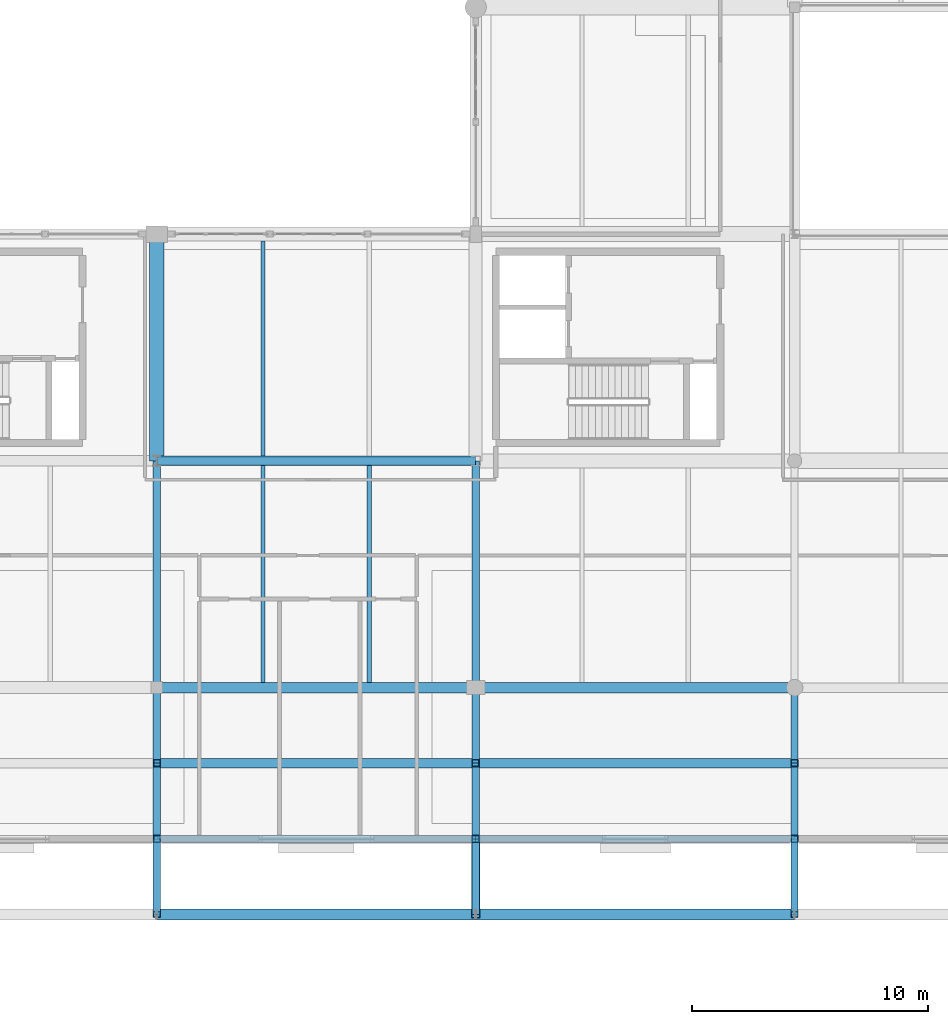
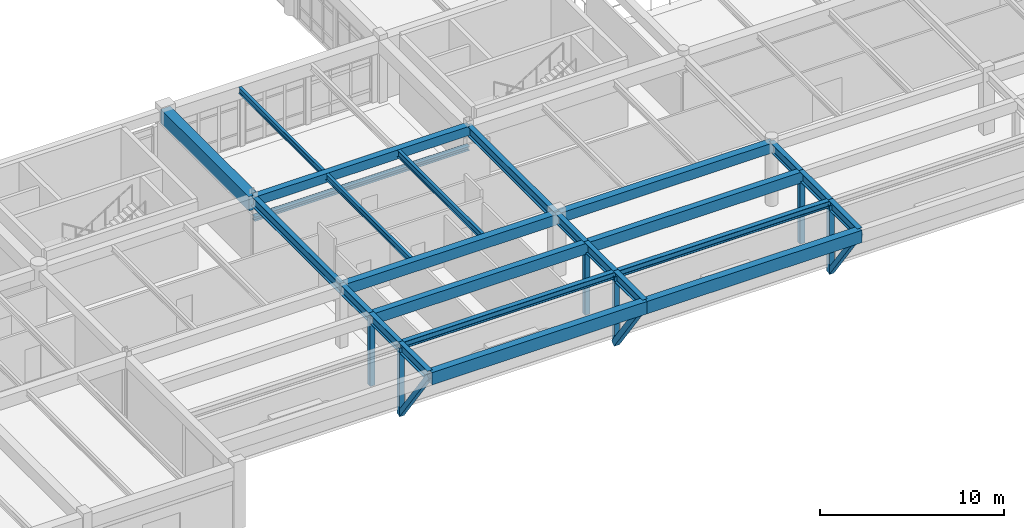
# One storey, part 13 of 80: 25 beams, 9 members.
"""IFC4 building model written with IfcOpenShell, lengths in metres."""

from ifc_helpers import new_model, si_unit, direction, frame, origin, origin_2d, place, context, subcontext, project, spatial, rectangle, hollow_rectangle, i_section, extrude, material, material_profile, profile_set, type_object, element, save


model = new_model("IFC4")

# Units and contexts
model_context = context("Model", 3, precision=1e-05, world=origin(), true_north=direction((0.0, 1.0)))
body_context = subcontext(model_context, "Body", "Model", "MODEL_VIEW")
ifc_project = project(units=[si_unit("LENGTHUNIT", "METRE"), si_unit("AREAUNIT", "SQUARE_METRE"), si_unit("VOLUMEUNIT", "CUBIC_METRE"), si_unit("PLANEANGLEUNIT", "RADIAN"), si_unit("MASSUNIT", "GRAM", prefix="KILO")], contexts=[model_context])

# Site, building, storey
site_placement = place(None, origin())
site = spatial("IfcSite", under=ifc_project, at=site_placement, CompositionType="ELEMENT")
building_placement = place(site_placement, origin())
building = spatial("IfcBuilding", under=site, at=building_placement, Name="Fikremerkos Civic Library", CompositionType="ELEMENT")
storey_placement = place(building_placement, frame((0.0, 0.0, 9.89990234375)))
storey = spatial("IfcBuildingStorey", under=building, at=storey_placement, Name="L02", CompositionType="ELEMENT", Elevation=9.89990234375)

# Beams
ifc_material_1 = material(Name="Steel S355", Category="steel")
ifc_material_profile_1 = material_profile(ifc_material_1, i_section(OverallWidth=0.18994140625, OverallDepth=0.449951171875, WebThickness=0.009521484375, FlangeThickness=0.0146484375, FilletRadius=0.02099609375, at=origin_2d()), Name="IPE 450")
ifc_profile_set_1 = profile_set([ifc_material_profile_1], Name="Steel S355")
beam_type_1 = type_object("IfcBeamType", Name="Floor joist JS-07 IPE 450", PredefinedType="JOIST", material=ifc_profile_set_1)
beam_1_placement = place(storey_placement, frame((41.699951171875, 12.22509765625, 3.93505859375), z_axis=(0.0, 1.0, 0.0), x_axis=(-1.0, 0.0, 0.0)))
element("IfcBeam", 1, at=beam_1_placement, inside=storey, type_object=beam_type_1, Name="Floor joist JS-07 L02 #489", PredefinedType="JOIST", context=body_context, shape_type="SweptSolid", body=[
    extrude(i_section(OverallWidth=0.18994140625, OverallDepth=0.449951171875, WebThickness=0.009521484375, FlangeThickness=0.0146484375, FilletRadius=0.02099609375, at=origin_2d()), origin(), (0.0, 0.0, 1.0), 9.1748046875),
])
ifc_material_profile_2 = material_profile(ifc_material_1, i_section(OverallWidth=0.179931640625, OverallDepth=0.39990234375, WebThickness=0.008544921875, FlangeThickness=0.013427734375, FilletRadius=0.02099609375, at=origin_2d()), Name="IPE 400")
ifc_profile_set_2 = profile_set([ifc_material_profile_2], Name="Steel S355")
beam_type_2 = type_object("IfcBeamType", Name="Floor joist JS-08 IPE 400", PredefinedType="JOIST", material=ifc_profile_set_2)
beam_2_placement = place(storey_placement, frame((37.199951171875, 12.22509765625, 3.960205078125), z_axis=(0.0, 1.0, 0.0), x_axis=(-1.0, 0.0, 0.0)))
element("IfcBeam", 2, at=beam_2_placement, inside=storey, type_object=beam_type_2, Name="Floor joist JS-08 L02 #488", PredefinedType="JOIST", context=body_context, shape_type="SweptSolid", body=[
    extrude(i_section(OverallWidth=0.179931640625, OverallDepth=0.39990234375, WebThickness=0.008544921875, FlangeThickness=0.013427734375, FilletRadius=0.02099609375, at=origin_2d()), origin(), (0.0, 0.0, 1.0), 9.1748046875),
])
beam_3_placement = place(storey_placement, frame((37.199951171875, 21.800048828125, 3.960205078125), z_axis=(0.0, 1.0, 0.0), x_axis=(-1.0, 0.0, 0.0)))
element("IfcBeam", 3, at=beam_3_placement, inside=storey, type_object=beam_type_2, Name="Floor joist JS-08 L02 #490", PredefinedType="JOIST", context=body_context, shape_type="SweptSolid", body=[
    extrude(i_section(OverallWidth=0.179931640625, OverallDepth=0.39990234375, WebThickness=0.008544921875, FlangeThickness=0.013427734375, FilletRadius=0.02099609375, at=origin_2d()), origin(), (0.0, 0.0, 1.0), 9.099853515625),
])

# Members
ifc_material_profile_3 = material_profile(ifc_material_1, hollow_rectangle(XDim=0.300048828125, YDim=0.300048828125, WallThickness=0.012451171875, at=origin_2d()), Name="SHS 300x300x12.5")
ifc_profile_set_3 = profile_set([ifc_material_profile_3], Name="Steel S355")
member_type_1 = type_object("IfcMemberType", Name="Frame post PST-01 SHS 300x300x12.5", PredefinedType="POST", material=ifc_profile_set_3)
for number, where, z_axis, x_axis, name in (
    (4, (32.699951171875, 8.800048828125, -0.64501953125), (0.0, 0.0, 1.0), (1.0, 0.0, 0.0), "Cantilever frame post PST-01 L02 X=32.7 Y=8.8"),
    (5, (32.699951171875, 5.60009765625, -0.64501953125), (0.0, 0.0, 1.0), (1.0, 0.0, 0.0), "Cantilever frame post PST-01 L02 X=32.7 Y=5.6"),
    (6, (46.199951171875, 8.800048828125, -0.64501953125), (0.0, 0.0, 1.0), (1.0, 0.0, 0.0), "Cantilever frame post PST-01 L02 X=46.2 Y=8.8"),
    (7, (46.199951171875, 5.60009765625, -0.64501953125), (0.0, 0.0, 1.0), (1.0, 0.0, 0.0), "Cantilever frame post PST-01 L02 X=46.2 Y=5.6"),
    (8, (59.699951171875, 8.800048828125, -0.64501953125), (0.0, 0.0, 1.0), (1.0, 0.0, 0.0), "Cantilever frame post PST-01 L02 X=59.7 Y=8.8"),
    (9, (59.699951171875, 5.60009765625, -0.64501953125), (0.0, 0.0, 1.0), (1.0, 0.0, 0.0), "Cantilever frame post PST-01 L02 X=59.7 Y=5.6"),
):
    element("IfcMember", number, at=place(storey_placement, frame(where, z_axis=z_axis, x_axis=x_axis)), inside=storey, type_object=member_type_1, Name=name, PredefinedType="POST", context=body_context, shape_type="SweptSolid", body=[
        extrude(hollow_rectangle(XDim=0.300048828125, YDim=0.300048828125, WallThickness=0.012451171875, at=origin_2d()), origin(), (0.0, 0.0, 1.0), 4.480224609375),
    ])

# Beams
ifc_material_profile_4 = material_profile(ifc_material_1, i_section(OverallWidth=0.300048828125, OverallDepth=0.2900390625, WebThickness=0.008544921875, FlangeThickness=0.013916015625, FilletRadius=0.027099609375, at=origin_2d()), Name="HEA 300")
ifc_profile_set_4 = profile_set([ifc_material_profile_4], Name="Steel S355")
beam_type_3 = type_object("IfcBeamType", Name="Opening lintel LNT-03 HEA 300", PredefinedType="LINTEL", material=ifc_profile_set_4)
beam_4_placement = place(storey_placement, frame((32.699951171875, 21.60009765625, 2.64501953125), z_axis=(1.0, 0.0, 0.0), x_axis=(0.0, 1.0, 0.0)))
element("IfcBeam", 10, at=beam_4_placement, inside=storey, type_object=beam_type_3, Name="Interior portal lintel LNT-03 L02 #9", PredefinedType="LINTEL", context=body_context, shape_type="SweptSolid", body=[
    extrude(i_section(OverallWidth=0.300048828125, OverallDepth=0.2900390625, WebThickness=0.008544921875, FlangeThickness=0.013916015625, FilletRadius=0.027099609375, at=origin_2d()), origin(), (0.0, 0.0, 1.0), 13.5),
])
ifc_material_2 = material(Name="Concrete C40/50", Category="concrete")
ifc_material_profile_5 = material_profile(ifc_material_2, rectangle(XDim=0.60009765625, YDim=0.949951171875, at=origin_2d()), Name="RC 600x950")
ifc_profile_set_5 = profile_set([ifc_material_profile_5], Name="Concrete C40/50")
beam_type_4 = type_object("IfcBeamType", Name="Primary girder BM-01 RC 600x950", PredefinedType="BEAM", material=ifc_profile_set_5)
beam_5_placement = place(storey_placement, frame((32.699951171875, 21.60009765625, 3.68505859375), z_axis=(0.0, 1.0, 0.0), x_axis=(-1.0, 0.0, 0.0)))
element("IfcBeam", 11, at=beam_5_placement, inside=storey, type_object=beam_type_4, Name="Primary girder BM-01 L02 grid 4", PredefinedType="BEAM", context=body_context, shape_type="SweptSolid", body=[
    extrude(rectangle(XDim=0.60009765625, YDim=0.949951171875, at=origin_2d()), origin(), (0.0, 0.0, 1.0), 9.599853515625),
])
ifc_material_profile_6 = material_profile(ifc_material_2, rectangle(XDim=0.449951171875, YDim=0.699951171875, at=origin_2d()), Name="RC 450x700")
ifc_profile_set_6 = profile_set([ifc_material_profile_6], Name="Concrete C40/50")
beam_type_5 = type_object("IfcBeamType", Name="Primary girder BM-06 RC 450x700", PredefinedType="BEAM", material=ifc_profile_set_6)
beam_6_placement = place(storey_placement, frame((32.699951171875, 12.0, 3.81005859375), z_axis=(1.0, 0.0, 0.0), x_axis=(0.0, 1.0, 0.0)))
element("IfcBeam", 12, at=beam_6_placement, inside=storey, type_object=beam_type_5, Name="Primary girder BM-06 L02 grid E", PredefinedType="BEAM", context=body_context, shape_type="SweptSolid", body=[
    extrude(rectangle(XDim=0.449951171875, YDim=0.699951171875, at=origin_2d()), origin(), (0.0, 0.0, 1.0), 13.5),
])
ifc_material_profile_7 = material_profile(ifc_material_2, rectangle(XDim=0.449951171875, YDim=0.64990234375, at=origin_2d()), Name="RC 450x650")
ifc_profile_set_7 = profile_set([ifc_material_profile_7], Name="Concrete C40/50")
beam_type_6 = type_object("IfcBeamType", Name="Primary girder BM-07 RC 450x650", PredefinedType="BEAM", material=ifc_profile_set_7)
beam_7_placement = place(storey_placement, frame((46.199951171875, 12.0, 3.835205078125), z_axis=(1.0, 0.0, 0.0), x_axis=(0.0, 1.0, 0.0)))
element("IfcBeam", 13, at=beam_7_placement, inside=storey, type_object=beam_type_6, Name="Primary girder BM-07 L02 grid E", PredefinedType="BEAM", context=body_context, shape_type="SweptSolid", body=[
    extrude(rectangle(XDim=0.449951171875, YDim=0.64990234375, at=origin_2d()), origin(), (0.0, 0.0, 1.0), 13.5),
])
ifc_material_profile_8 = material_profile(ifc_material_2, rectangle(XDim=0.39990234375, YDim=0.60009765625, at=origin_2d()), Name="RC 400x600")
ifc_profile_set_8 = profile_set([ifc_material_profile_8], Name="Concrete C40/50")
beam_type_7 = type_object("IfcBeamType", Name="Primary girder BM-08 RC 400x600", PredefinedType="BEAM", material=ifc_profile_set_8)
beam_8_placement = place(storey_placement, frame((32.699951171875, 21.60009765625, 3.860107421875), z_axis=(1.0, 0.0, 0.0), x_axis=(0.0, 1.0, 0.0)))
element("IfcBeam", 14, at=beam_8_placement, inside=storey, type_object=beam_type_7, Name="Primary girder BM-08 L02 grid F", PredefinedType="BEAM", context=body_context, shape_type="SweptSolid", body=[
    extrude(rectangle(XDim=0.39990234375, YDim=0.60009765625, at=origin_2d()), origin(), (0.0, 0.0, 1.0), 13.5),
])
ifc_material_profile_9 = material_profile(ifc_material_1, i_section(OverallWidth=0.300048828125, OverallDepth=0.64990234375, WebThickness=0.01611328125, FlangeThickness=0.031005859375, FilletRadius=0.027099609375, at=origin_2d()), Name="HEB 650")
ifc_profile_set_9 = profile_set([ifc_material_profile_9], Name="Steel S355")
beam_type_8 = type_object("IfcBeamType", Name="Primary girder BM-12 HEB 650", PredefinedType="BEAM", material=ifc_profile_set_9)
for number, where, z_axis, x_axis, name in (
    (15, (32.699951171875, 12.0, 3.835205078125), (0.0, 1.0, 0.0), (-1.0, 0.0, 0.0), "Primary girder BM-12 L02 grid 4"),
    (16, (46.199951171875, 12.0, 3.835205078125), (0.0, 1.0, 0.0), (-1.0, 0.0, 0.0), "Primary girder BM-12 L02 grid 5"),
):
    element("IfcBeam", number, at=place(storey_placement, frame(where, z_axis=z_axis, x_axis=x_axis)), inside=storey, type_object=beam_type_8, Name=name, PredefinedType="BEAM", context=body_context, shape_type="SweptSolid", body=[
        extrude(i_section(OverallWidth=0.300048828125, OverallDepth=0.64990234375, WebThickness=0.01611328125, FlangeThickness=0.031005859375, FilletRadius=0.027099609375, at=origin_2d()), origin(), (0.0, 0.0, 1.0), 9.60009765625),
    ])
for number, where, z_axis, x_axis, name in (
    (17, (32.699951171875, 12.0, 3.835205078125), (0.0, -1.0, 0.0), (1.0, 0.0, 0.0), "Cantilever girder BM-12 L02 X=32.7 #1"),
    (18, (32.699951171875, 8.800048828125, 3.835205078125), (0.0, -1.0, 0.0), (1.0, 0.0, 0.0), "Cantilever girder BM-12 L02 X=32.7 #2"),
):
    element("IfcBeam", number, at=place(storey_placement, frame(where, z_axis=z_axis, x_axis=x_axis)), inside=storey, type_object=beam_type_8, Name=name, PredefinedType="BEAM", context=body_context, shape_type="SweptSolid", body=[
        extrude(i_section(OverallWidth=0.300048828125, OverallDepth=0.64990234375, WebThickness=0.01611328125, FlangeThickness=0.031005859375, FilletRadius=0.027099609375, at=origin_2d()), origin(), (0.0, 0.0, 1.0), 3.199951171875),
    ])
beam_9_placement = place(storey_placement, frame((32.699951171875, 5.60009765625, 3.835205078125), z_axis=(0.0, -1.0, 0.0), x_axis=(1.0, 0.0, 0.0)))
element("IfcBeam", 19, at=beam_9_placement, inside=storey, type_object=beam_type_8, Name="Cantilever girder BM-12 L02 X=32.7 #3", PredefinedType="BEAM", context=body_context, shape_type="SweptSolid", body=[
    extrude(i_section(OverallWidth=0.300048828125, OverallDepth=0.64990234375, WebThickness=0.01611328125, FlangeThickness=0.031005859375, FilletRadius=0.027099609375, at=origin_2d()), origin(), (0.0, 0.0, 1.0), 3.2001953125),
])
for number, where, z_axis, x_axis, name in (
    (20, (46.199951171875, 12.0, 3.835205078125), (0.0, -1.0, 0.0), (1.0, 0.0, 0.0), "Cantilever girder BM-12 L02 X=46.2 #1"),
    (21, (46.199951171875, 8.800048828125, 3.835205078125), (0.0, -1.0, 0.0), (1.0, 0.0, 0.0), "Cantilever girder BM-12 L02 X=46.2 #2"),
):
    element("IfcBeam", number, at=place(storey_placement, frame(where, z_axis=z_axis, x_axis=x_axis)), inside=storey, type_object=beam_type_8, Name=name, PredefinedType="BEAM", context=body_context, shape_type="SweptSolid", body=[
        extrude(i_section(OverallWidth=0.300048828125, OverallDepth=0.64990234375, WebThickness=0.01611328125, FlangeThickness=0.031005859375, FilletRadius=0.027099609375, at=origin_2d()), origin(), (0.0, 0.0, 1.0), 3.199951171875),
    ])
beam_10_placement = place(storey_placement, frame((46.199951171875, 5.60009765625, 3.835205078125), z_axis=(0.0, -1.0, 0.0), x_axis=(1.0, 0.0, 0.0)))
element("IfcBeam", 22, at=beam_10_placement, inside=storey, type_object=beam_type_8, Name="Cantilever girder BM-12 L02 X=46.2 #3", PredefinedType="BEAM", context=body_context, shape_type="SweptSolid", body=[
    extrude(i_section(OverallWidth=0.300048828125, OverallDepth=0.64990234375, WebThickness=0.01611328125, FlangeThickness=0.031005859375, FilletRadius=0.027099609375, at=origin_2d()), origin(), (0.0, 0.0, 1.0), 3.2001953125),
])
for number, where, z_axis, x_axis, name in (
    (23, (59.699951171875, 12.0, 3.835205078125), (0.0, -1.0, 0.0), (1.0, 0.0, 0.0), "Cantilever girder BM-12 L02 X=59.7 #1"),
    (24, (59.699951171875, 8.800048828125, 3.835205078125), (0.0, -1.0, 0.0), (1.0, 0.0, 0.0), "Cantilever girder BM-12 L02 X=59.7 #2"),
):
    element("IfcBeam", number, at=place(storey_placement, frame(where, z_axis=z_axis, x_axis=x_axis)), inside=storey, type_object=beam_type_8, Name=name, PredefinedType="BEAM", context=body_context, shape_type="SweptSolid", body=[
        extrude(i_section(OverallWidth=0.300048828125, OverallDepth=0.64990234375, WebThickness=0.01611328125, FlangeThickness=0.031005859375, FilletRadius=0.027099609375, at=origin_2d()), origin(), (0.0, 0.0, 1.0), 3.199951171875),
    ])
beam_11_placement = place(storey_placement, frame((59.699951171875, 5.60009765625, 3.835205078125), z_axis=(0.0, -1.0, 0.0), x_axis=(1.0, 0.0, 0.0)))
element("IfcBeam", 25, at=beam_11_placement, inside=storey, type_object=beam_type_8, Name="Cantilever girder BM-12 L02 X=59.7 #3", PredefinedType="BEAM", context=body_context, shape_type="SweptSolid", body=[
    extrude(i_section(OverallWidth=0.300048828125, OverallDepth=0.64990234375, WebThickness=0.01611328125, FlangeThickness=0.031005859375, FilletRadius=0.027099609375, at=origin_2d()), origin(), (0.0, 0.0, 1.0), 3.2001953125),
])

# Members
ifc_material_profile_10 = material_profile(ifc_material_1, hollow_rectangle(XDim=0.35009765625, YDim=0.35009765625, WallThickness=0.01611328125, at=origin_2d()), Name="SHS 350x350x16")
ifc_profile_set_10 = profile_set([ifc_material_profile_10], Name="Steel S355")
member_type_2 = type_object("IfcMemberType", Name="Raking strut STR-01 SHS 350x350x16", PredefinedType="STRUT", material=ifc_profile_set_10)
member_placement = place(storey_placement, frame((46.199951171875, 5.60009765625, -0.64501953125), z_axis=(0.0, -0.581242388279, 0.813730475076), x_axis=(1.0, 0.0, 0.0)))
element("IfcMember", 26, at=member_placement, inside=storey, type_object=member_type_2, Name="Raking cantilever strut STR-01 L02 X=46.2", PredefinedType="STRUT", context=body_context, shape_type="SweptSolid", body=[
    extrude(hollow_rectangle(XDim=0.35009765625, YDim=0.35009765625, WallThickness=0.01611328125, at=origin_2d()), origin(), (0.0, 0.0, 1.0), 5.505859375),
])
ifc_material_profile_11 = material_profile(ifc_material_1, hollow_rectangle(XDim=0.300048828125, YDim=0.300048828125, WallThickness=0.01611328125, at=origin_2d()), Name="SHS 300x300x16")
ifc_profile_set_11 = profile_set([ifc_material_profile_11], Name="Steel S355")
member_type_3 = type_object("IfcMemberType", Name="Raking strut STR-02 SHS 300x300x16", PredefinedType="STRUT", material=ifc_profile_set_11)
for number, where, z_axis, x_axis, name in (
    (27, (32.699951171875, 5.60009765625, -0.64501953125), (0.0, -0.581242388279, 0.813730475076), (1.0, 0.0, 0.0), "Raking cantilever strut STR-02 L02 X=32.7"),
    (28, (59.699951171875, 5.60009765625, -0.64501953125), (0.0, -0.581242388279, 0.813730475076), (1.0, 0.0, 0.0), "Raking cantilever strut STR-02 L02 X=59.7"),
):
    element("IfcMember", number, at=place(storey_placement, frame(where, z_axis=z_axis, x_axis=x_axis)), inside=storey, type_object=member_type_3, Name=name, PredefinedType="STRUT", context=body_context, shape_type="SweptSolid", body=[
        extrude(hollow_rectangle(XDim=0.300048828125, YDim=0.300048828125, WallThickness=0.01611328125, at=origin_2d()), origin(), (0.0, 0.0, 1.0), 5.505859375),
    ])

# Beams
ifc_material_profile_12 = material_profile(ifc_material_2, rectangle(XDim=0.449951171875, YDim=0.820068359375, at=origin_2d()), Name="RC 450x820")
ifc_profile_set_12 = profile_set([ifc_material_profile_12], Name="Concrete C40/50")
beam_type_9 = type_object("IfcBeamType", Name="Spandrel edge beam SPB-02 RC 450x820", PredefinedType="SPANDREL", material=ifc_profile_set_12)
for number, where, z_axis, x_axis, name in (
    (29, (32.699951171875, 2.39990234375, 3.75), (1.0, 0.0, 0.0), (0.0, 1.0, 0.0), "Spandrel edge beam SPB-02 L02 Y=2.4 bay 2"),
    (30, (46.199951171875, 2.39990234375, 3.75), (1.0, 0.0, 0.0), (0.0, 1.0, 0.0), "Spandrel edge beam SPB-02 L02 Y=2.4 bay 3"),
):
    element("IfcBeam", number, at=place(storey_placement, frame(where, z_axis=z_axis, x_axis=x_axis)), inside=storey, type_object=beam_type_9, Name=name, PredefinedType="SPANDREL", context=body_context, shape_type="SweptSolid", body=[
        extrude(rectangle(XDim=0.449951171875, YDim=0.820068359375, at=origin_2d()), origin(), (0.0, 0.0, 1.0), 13.5),
    ])
ifc_material_profile_13 = material_profile(ifc_material_2, rectangle(XDim=0.39990234375, YDim=0.719970703125, at=origin_2d()), Name="RC 400x720")
ifc_profile_set_13 = profile_set([ifc_material_profile_13], Name="Concrete C40/50")
beam_type_10 = type_object("IfcBeamType", Name="Spandrel edge beam SPB-03 RC 400x720", PredefinedType="SPANDREL", material=ifc_profile_set_13)
for number, where, z_axis, x_axis, name in (
    (31, (32.699951171875, 8.800048828125, 3.800048828125), (1.0, 0.0, 0.0), (0.0, 1.0, 0.0), "Spandrel edge beam SPB-03 L02 Y=8.8 bay 2"),
    (32, (46.199951171875, 8.800048828125, 3.800048828125), (1.0, 0.0, 0.0), (0.0, 1.0, 0.0), "Spandrel edge beam SPB-03 L02 Y=8.8 bay 3"),
):
    element("IfcBeam", number, at=place(storey_placement, frame(where, z_axis=z_axis, x_axis=x_axis)), inside=storey, type_object=beam_type_10, Name=name, PredefinedType="SPANDREL", context=body_context, shape_type="SweptSolid", body=[
        extrude(rectangle(XDim=0.39990234375, YDim=0.719970703125, at=origin_2d()), origin(), (0.0, 0.0, 1.0), 13.5),
    ])
ifc_material_profile_14 = material_profile(ifc_material_1, i_section(OverallWidth=0.300048828125, OverallDepth=0.43994140625, WebThickness=0.011474609375, FlangeThickness=0.02099609375, FilletRadius=0.027099609375, at=origin_2d()), Name="HEA 450")
ifc_profile_set_14 = profile_set([ifc_material_profile_14], Name="Steel S355")
beam_type_11 = type_object("IfcBeamType", Name="Spandrel edge beam SPB-05 HEA 450", PredefinedType="SPANDREL", material=ifc_profile_set_14)
for number, where, z_axis, x_axis, name in (
    (33, (32.699951171875, 5.60009765625, 3.940185546875), (1.0, 0.0, 0.0), (0.0, 1.0, 0.0), "Spandrel edge beam SPB-05 L02 Y=5.6 bay 2"),
    (34, (46.199951171875, 5.60009765625, 3.940185546875), (1.0, 0.0, 0.0), (0.0, 1.0, 0.0), "Spandrel edge beam SPB-05 L02 Y=5.6 bay 3"),
):
    element("IfcBeam", number, at=place(storey_placement, frame(where, z_axis=z_axis, x_axis=x_axis)), inside=storey, type_object=beam_type_11, Name=name, PredefinedType="SPANDREL", context=body_context, shape_type="SweptSolid", body=[
        extrude(i_section(OverallWidth=0.300048828125, OverallDepth=0.43994140625, WebThickness=0.011474609375, FlangeThickness=0.02099609375, FilletRadius=0.027099609375, at=origin_2d()), origin(), (0.0, 0.0, 1.0), 13.5),
    ])

save(model, "model.ifc")
